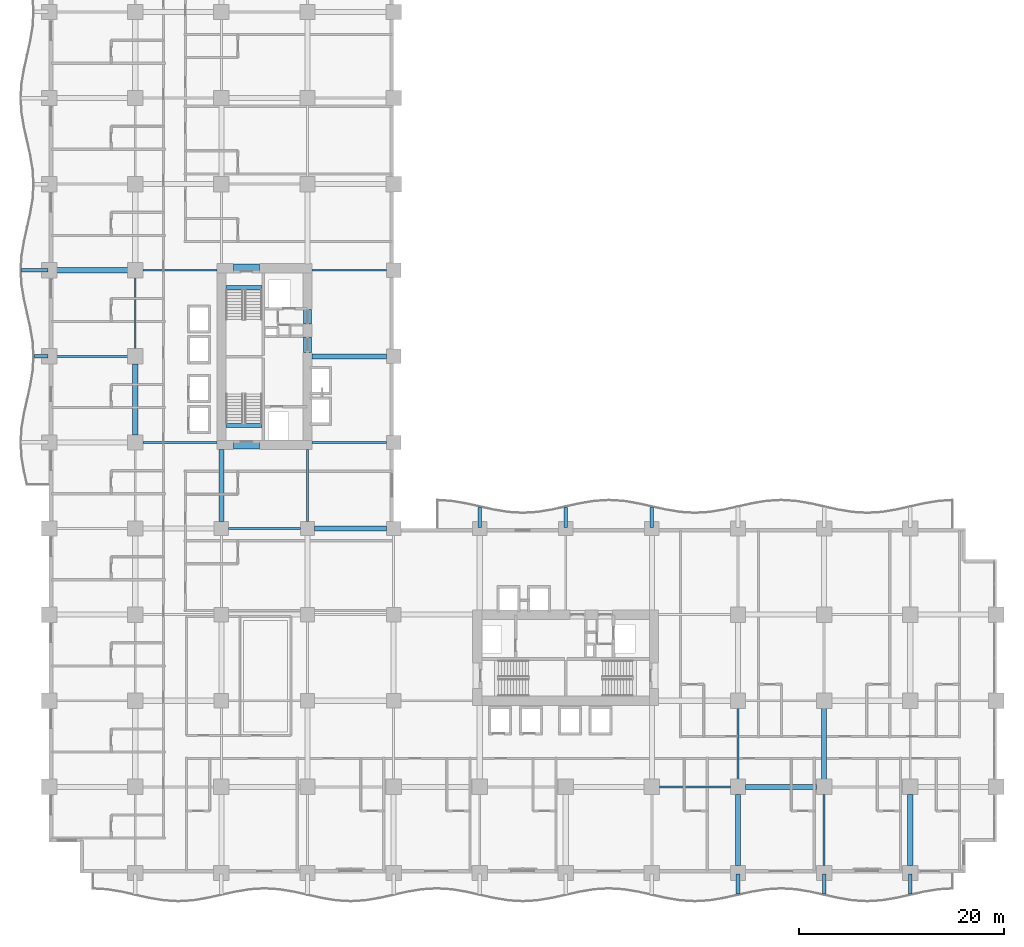
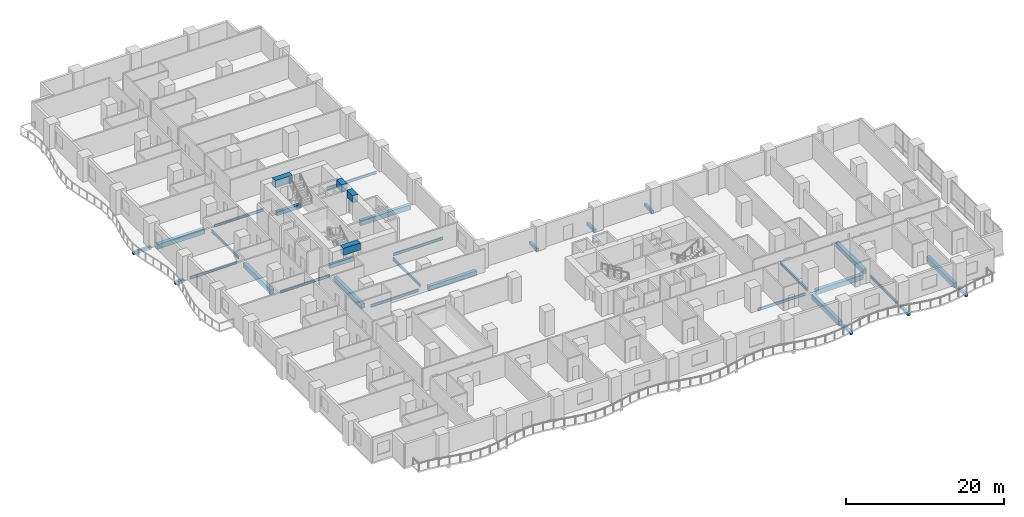
# One storey, part 2 of 26: 34 beams.
"""IFC4 building model written with IfcOpenShell, lengths in metres."""

import ifcopenshell
import ifcopenshell.guid

model = None  # the IFC model being written
_history = None  # IfcOwnerHistory: only IFC2X3 demands one
_inside = {}  # id of a spatial element -> (the spatial element, [elements in it])
_under = {}  # id of a project, library or spatial element -> (it, [spatial elements below it])
_declared = {}  # id of a project -> (the project, [libraries it declares])
_typed = {}  # id of a type object -> (the type object, [elements of that type])
_made_of = {}  # id of a material, layer set ... -> (it, [elements and type objects made of it])


def new_model(schema):
    """Start an empty IFC model of exactly this schema.

    Asked for "IFC4X3", IfcOpenShell would pick the latest addendum, in which some entities
    have other attributes; the version numbers below select the first issue.
    IFC2X3 requires an IfcOwnerHistory on every rooted entity: one is made here for all.
    """
    global model, _history
    if schema == "IFC4X3":
        model = ifcopenshell.file(schema_version=(4, 3, 0, 0))
    else:
        model = ifcopenshell.file(schema=schema)
    _inside.clear()
    _under.clear()
    _declared.clear()
    _typed.clear()
    _made_of.clear()
    _history = None
    if model.schema == "IFC2X3":
        org = make("IfcOrganization", Name="unknown")
        user = make(
            "IfcPersonAndOrganization",
            ThePerson=make("IfcPerson", FamilyName="unknown"),
            TheOrganization=org,
        )
        app = make(
            "IfcApplication",
            ApplicationDeveloper=org,
            Version="unknown",
            ApplicationFullName="unknown",
            ApplicationIdentifier="unknown",
        )
        _history = make(
            "IfcOwnerHistory",
            OwningUser=user,
            OwningApplication=app,
            ChangeAction="ADDED",
            CreationDate=0,
        )
    return model


def make(cls, **values):
    """One entity of the class cls with the attributes given. An attribute that is None is left unset."""
    return model.create_entity(
        cls, **{name: value for name, value in values.items() if value is not None}
    )


def rooted(cls, **values):
    """An entity with a GlobalId (a new one), such as an element, a storey or a relation."""
    return make(cls, GlobalId=ifcopenshell.guid.new(), OwnerHistory=_history, **values)


def si_unit(unit_type, name, prefix=None):
    """IfcSIUnit, for example si_unit("LENGTHUNIT", "METRE", prefix="MILLI")."""
    return make("IfcSIUnit", UnitType=unit_type, Prefix=prefix, Name=name)


def assignment(units):
    """IfcUnitAssignment: the units of a project."""
    return None if units is None else make("IfcUnitAssignment", Units=units)


def point(xyz):
    """IfcCartesianPoint."""
    return None if xyz is None else make("IfcCartesianPoint", Coordinates=xyz)


def direction(xyz):
    """IfcDirection."""
    return None if xyz is None else make("IfcDirection", DirectionRatios=xyz)


def frame(location, z_axis=None, x_axis=None):
    """IfcAxis2Placement3D, a coordinate frame: its origin and axes. An axis left out is left unset."""
    return make(
        "IfcAxis2Placement3D",
        Location=point(location),
        Axis=direction(z_axis),
        RefDirection=direction(x_axis),
    )


def frame_2d(location, x_axis=None):
    """IfcAxis2Placement2D, a coordinate frame in the plane: its origin and x axis."""
    return make(
        "IfcAxis2Placement2D", Location=point(location), RefDirection=direction(x_axis)
    )


def origin():
    """The frame at (0, 0, 0) with its axes left unset."""
    return frame((0.0, 0.0, 0.0))


def origin_2d():
    """The frame at (0, 0) in the plane with its x axis left unset."""
    return frame_2d((0.0, 0.0))


def place(relative_to, where):
    """IfcLocalPlacement: puts the frame where relative to a parent placement (None: the world)."""
    return make(
        "IfcLocalPlacement", PlacementRelTo=relative_to, RelativePlacement=where
    )


def context(
    kind, dimensions, precision=None, world=None, true_north=None, identifier=None
):
    """IfcGeometricRepresentationContext, for example the 3D "Model" context."""
    return make(
        "IfcGeometricRepresentationContext",
        ContextIdentifier=identifier,
        ContextType=kind,
        CoordinateSpaceDimension=dimensions,
        Precision=precision,
        WorldCoordinateSystem=world,
        TrueNorth=true_north,
    )


def subcontext(parent, identifier, kind, view, scale=None):
    """IfcGeometricRepresentationSubContext, for example "Body" below "Model"."""
    return make(
        "IfcGeometricRepresentationSubContext",
        ContextIdentifier=identifier,
        ContextType=kind,
        ParentContext=parent,
        TargetScale=scale,
        TargetView=view,
    )


def project(units=None, contexts=None):
    """IfcProject with its units and contexts."""
    return rooted(
        "IfcProject",
        Name="project",
        RepresentationContexts=contexts,
        UnitsInContext=assignment(units),
    )


def spatial(cls, under=None, at=None, **own):
    """A site, building, storey or space (cls), placed at a placement, below another one or the project."""
    s = rooted(cls, ObjectPlacement=at, **own)
    if under is not None:
        _under.setdefault(under.id(), (under, []))[1].append(s)
    return s


def profile(cls, at=None, kind="AREA", **sizes):
    """A parametric profile (cls). Its sizes go by their IFC names, for example OverallWidth=200.0."""
    return make(cls, ProfileType=kind, Position=at, **sizes)


def rectangle(**sizes):
    """IfcRectangleProfileDef."""
    return profile("IfcRectangleProfileDef", **sizes)


def i_section(**sizes):
    """IfcIShapeProfileDef."""
    return profile("IfcIShapeProfileDef", **sizes)


def extrude(swept, where, along, depth):
    """IfcExtrudedAreaSolid: the profile swept, set in the frame where, extruded along a direction by depth."""
    return make(
        "IfcExtrudedAreaSolid",
        SweptArea=swept,
        Position=where,
        ExtrudedDirection=direction(along),
        Depth=depth,
    )


def shape(context_of_items, identifier, shape_type, items):
    """IfcShapeRepresentation: the items that make up one representation, for example the "Body"."""
    return make(
        "IfcShapeRepresentation",
        ContextOfItems=context_of_items,
        RepresentationIdentifier=identifier,
        RepresentationType=shape_type,
        Items=items,
    )


def material(Name=None, Category=None):
    """IfcMaterial."""
    return make("IfcMaterial", Name=Name, Category=Category)


def material_profile(
    of_material, cross_section, Name=None, Category=None, Priority=None
):
    """IfcMaterialProfile: a cross section and its material."""
    return make(
        "IfcMaterialProfile",
        Name=Name,
        Material=of_material,
        Profile=cross_section,
        Priority=Priority,
        Category=Category,
    )


def profile_set(profiles, Name=None, composite=None):
    """IfcMaterialProfileSet."""
    return make(
        "IfcMaterialProfileSet",
        Name=Name,
        MaterialProfiles=profiles,
        CompositeProfile=composite,
    )


def made_of(thing, what):
    """Note that an element or type object is made of a material, layer set ...; save() writes the relation."""
    if what is not None:
        _made_of.setdefault(what.id(), (what, []))[1].append(thing)
    return thing


def type_object(cls, material=None, **own):
    """A type object (cls), such as IfcWallType, which elements share."""
    return made_of(rooted(cls, **own), material)


def element(
    cls,
    number,
    at=None,
    inside=None,
    cuts=None,
    type_object=None,
    material=None,
    context=None,
    identifier="Body",
    shape_type=None,
    held_by="IfcProductDefinitionShape",
    body=None,
    shapes=None,
    **own,
):
    """One element of the class cls, such as IfcWall. Its Tag is "e" and its number.

    at: its placement. inside: the storey or other place that contains it. cuts: it is an
    opening in that element (IfcRelVoidsElement). A single representation is given by context,
    identifier, shape_type and body (its items); several are given by shapes. held_by: the class
    of the entity that holds the representations. save() writes the other relations.
    """
    e = rooted(cls, Tag="e%d" % number, ObjectPlacement=at, **own)
    if body is not None:
        shapes = [shape(context, identifier, shape_type, body)]
    if shapes is not None:
        e.Representation = make(held_by, Representations=shapes)
    if inside is not None:
        _inside.setdefault(inside.id(), (inside, []))[1].append(e)
    if cuts is not None:
        rooted(
            "IfcRelVoidsElement", RelatingBuildingElement=cuts, RelatedOpeningElement=e
        )
    if type_object is not None:
        _typed.setdefault(type_object.id(), (type_object, []))[1].append(e)
    return made_of(e, material)


def aggregate(whole, parts):
    """IfcRelAggregates: a whole, such as a stair, and the parts it consists of."""
    return rooted("IfcRelAggregates", RelatingObject=whole, RelatedObjects=parts)


def save(model, path):
    """Write the relations noted so far, then the file.

    IfcRelAggregates (storeys below a building ...), IfcRelContainedInSpatialStructure (elements
    in a storey), IfcRelDefinesByType, IfcRelAssociatesMaterial and IfcRelDeclares: one each for
    every whole, place, type object, material and project.
    """
    for whole, parts in _under.values():
        aggregate(whole, parts)
    for where, things in _inside.values():
        rooted(
            "IfcRelContainedInSpatialStructure",
            RelatedElements=things,
            RelatingStructure=where,
        )
    for kind, things in _typed.values():
        rooted("IfcRelDefinesByType", RelatedObjects=things, RelatingType=kind)
    for what, things in _made_of.values():
        rooted("IfcRelAssociatesMaterial", RelatedObjects=things, RelatingMaterial=what)
    for by, libraries in _declared.values():
        rooted("IfcRelDeclares", RelatingContext=by, RelatedDefinitions=libraries)
    model.write(path)


model = new_model("IFC4")

# Units and contexts
model_context = context("Model", 3, precision=1e-05, world=origin(), true_north=direction((0.0, 1.0)))
body_context = subcontext(model_context, "Body", "Model", "MODEL_VIEW")
ifc_project = project(units=[si_unit("LENGTHUNIT", "METRE"), si_unit("AREAUNIT", "SQUARE_METRE"), si_unit("VOLUMEUNIT", "CUBIC_METRE"), si_unit("PLANEANGLEUNIT", "RADIAN"), si_unit("MASSUNIT", "GRAM", prefix="KILO")], contexts=[model_context])

# Site, building, storey
site_placement = place(None, origin())
site = spatial("IfcSite", under=ifc_project, at=site_placement, CompositionType="ELEMENT")
building_placement = place(site_placement, origin())
building = spatial("IfcBuilding", under=site, at=building_placement, Name="Koriwani Terraces Tower", CompositionType="ELEMENT")
storey_placement = place(building_placement, frame((0.0, 0.0, 39.60009765625)))
storey = spatial("IfcBuildingStorey", under=building, at=storey_placement, Name="L08", CompositionType="ELEMENT", Elevation=39.60009765625)

# Beams
ifc_material_1 = material(Name="Concrete C40/50", Category="concrete")
ifc_material_profile_1 = material_profile(ifc_material_1, rectangle(XDim=0.35009765625, YDim=0.449951171875, at=origin_2d()), Name="Concrete C40/50", Category="LoadBearing")
ifc_profile_set_1 = profile_set([ifc_material_profile_1], Name="Concrete C40/50")
beam_type_1 = type_object("IfcBeamType", Name="BEAM_RC_BALCONY_RIB_350X450", PredefinedType="JOIST", material=ifc_profile_set_1)
for number, where, z_axis, x_axis, name in (
    (1, (67.199951171875, -2.074951171875, -0.47509765625), (0.0, 1.0, 0.0), (-1.0, 0.0, 0.0), "L08 Balcony Bracket Rib S-8"),
    (2, (75.60009765625, -2.074951171875, -0.47509765625), (0.0, 1.0, 0.0), (-1.0, 0.0, 0.0), "L08 Balcony Bracket Rib S-9"),
    (3, (84.0, -2.074951171875, -0.47509765625), (0.0, 1.0, 0.0), (-1.0, 0.0, 0.0), "L08 Balcony Bracket Rib S-10"),
):
    element("IfcBeam", number, at=place(storey_placement, frame(where, z_axis=z_axis, x_axis=x_axis)), inside=storey, type_object=beam_type_1, Name=name, PredefinedType="JOIST", context=body_context, shape_type="SweptSolid", body=[
        extrude(rectangle(XDim=0.35009765625, YDim=0.449951171875, at=origin_2d()), origin(), (0.0, 0.0, 1.0), 1.974853515625),
    ])
beam_1_placement = place(storey_placement, frame((-1.449951171875, 50.39990234375, -0.47509765625), z_axis=(1.0, 0.0, 0.0), x_axis=(0.0, 1.0, 0.0)))
element("IfcBeam", 4, at=beam_1_placement, inside=storey, type_object=beam_type_1, Name="L08 Balcony Bracket Rib W-2", PredefinedType="JOIST", context=body_context, shape_type="SweptSolid", body=[
    extrude(rectangle(XDim=0.35009765625, YDim=0.449951171875, at=origin_2d()), origin(), (0.0, 0.0, 1.0), 1.349853515625),
])
beam_2_placement = place(storey_placement, frame((-2.699951171875, 58.800048828125, -0.47509765625), z_axis=(1.0, 0.0, 0.0), x_axis=(0.0, 1.0, 0.0)))
element("IfcBeam", 5, at=beam_2_placement, inside=storey, type_object=beam_type_1, Name="L08 Balcony Bracket Rib W-3", PredefinedType="JOIST", context=body_context, shape_type="SweptSolid", body=[
    extrude(rectangle(XDim=0.35009765625, YDim=0.449951171875, at=origin_2d()), origin(), (0.0, 0.0, 1.0), 2.599853515625),
])
for number, where, z_axis, x_axis, name in (
    (6, (42.0, 33.699951171875, -0.47509765625), (0.0, 1.0, 0.0), (-1.0, 0.0, 0.0), "L08 Balcony Bracket Rib NE-1"),
    (7, (50.39990234375, 33.699951171875, -0.47509765625), (0.0, 1.0, 0.0), (-1.0, 0.0, 0.0), "L08 Balcony Bracket Rib NE-2"),
    (8, (58.800048828125, 33.699951171875, -0.47509765625), (0.0, 1.0, 0.0), (-1.0, 0.0, 0.0), "L08 Balcony Bracket Rib NE-3"),
):
    element("IfcBeam", number, at=place(storey_placement, frame(where, z_axis=z_axis, x_axis=x_axis)), inside=storey, type_object=beam_type_1, Name=name, PredefinedType="JOIST", context=body_context, shape_type="SweptSolid", body=[
        extrude(rectangle(XDim=0.35009765625, YDim=0.449951171875, at=origin_2d()), origin(), (0.0, 0.0, 1.0), 1.97509765625),
    ])
ifc_material_2 = material(Name="Concrete C60/75", Category="concrete")
ifc_material_profile_2 = material_profile(ifc_material_2, rectangle(XDim=0.800048828125, YDim=1.10009765625, at=origin_2d()), Name="Concrete C60/75", Category="LoadBearing")
ifc_profile_set_2 = profile_set([ifc_material_profile_2], Name="Concrete C60/75")
beam_type_2 = type_object("IfcBeamType", Name="BEAM_RC_COUPLING_800X1100", PredefinedType="LINTEL", material=ifc_profile_set_2)
beam_3_placement = place(storey_placement, frame((25.199951171875, 50.800048828125, 3.0), z_axis=(0.0, 1.0, 0.0), x_axis=(-1.0, 0.0, 0.0)))
element("IfcBeam", 9, at=beam_3_placement, inside=storey, type_object=beam_type_2, Name="L08 Core Coupling Lintel Beam WE1", PredefinedType="LINTEL", context=body_context, shape_type="SweptSolid", body=[
    extrude(rectangle(XDim=0.800048828125, YDim=1.10009765625, at=origin_2d()), origin(), (0.0, 0.0, 1.0), 1.47998046875),
])
beam_4_placement = place(storey_placement, frame((25.199951171875, 53.550048828125, 3.0), z_axis=(0.0, 1.0, 0.0), x_axis=(-1.0, 0.0, 0.0)))
element("IfcBeam", 10, at=beam_4_placement, inside=storey, type_object=beam_type_2, Name="L08 Core Coupling Lintel Beam WE2", PredefinedType="LINTEL", context=body_context, shape_type="SweptSolid", body=[
    extrude(rectangle(XDim=0.800048828125, YDim=1.10009765625, at=origin_2d()), origin(), (0.0, 0.0, 1.0), 1.39990234375),
])
for number, where, z_axis, x_axis, name in (
    (11, (18.0, 41.75, 3.0), (1.0, 0.0, 0.0), (0.0, 1.0, 0.0), "L08 Core Coupling Lintel Beam WS"),
    (12, (18.0, 59.0, 3.0), (1.0, 0.0, 0.0), (0.0, 1.0, 0.0), "L08 Core Coupling Lintel Beam WN"),
):
    element("IfcBeam", number, at=place(storey_placement, frame(where, z_axis=z_axis, x_axis=x_axis)), inside=storey, type_object=beam_type_2, Name=name, PredefinedType="LINTEL", context=body_context, shape_type="SweptSolid", body=[
        extrude(rectangle(XDim=0.800048828125, YDim=1.10009765625, at=origin_2d()), origin(), (0.0, 0.0, 1.0), 2.5),
    ])
ifc_material_profile_3 = material_profile(ifc_material_1, rectangle(XDim=0.39990234375, YDim=0.60009765625, at=origin_2d()), Name="Concrete C40/50", Category="LoadBearing")
ifc_profile_set_3 = profile_set([ifc_material_profile_3], Name="Concrete C40/50")
beam_type_3 = type_object("IfcBeamType", Name="BEAM_RC_GRID_400X600", PredefinedType="BEAM", material=ifc_profile_set_3)
for number, where, z_axis, x_axis, name in (
    (13, (17.25, 43.655029296875, -0.300048828125), (1.0, 0.0, 0.0), (0.0, 1.0, 0.0), "L08 Stairwell Header Trimmer Beam ST-W1"),
    (14, (17.25, 57.094970703125, -0.300048828125), (1.0, 0.0, 0.0), (0.0, 1.0, 0.0), "L08 Stairwell Header Trimmer Beam ST-W2"),
):
    element("IfcBeam", number, at=place(storey_placement, frame(where, z_axis=z_axis, x_axis=x_axis)), inside=storey, type_object=beam_type_3, Name=name, PredefinedType="BEAM", context=body_context, shape_type="SweptSolid", body=[
        extrude(rectangle(XDim=0.39990234375, YDim=0.60009765625, at=origin_2d()), origin(), (0.0, 0.0, 1.0), 3.5),
    ])
ifc_material_3 = material(Name="Concrete C50/60", Category="concrete")
ifc_material_profile_4 = material_profile(ifc_material_3, rectangle(XDim=0.5, YDim=0.75, at=origin_2d()), Name="Concrete C50/60", Category="LoadBearing")
ifc_profile_set_4 = profile_set([ifc_material_profile_4], Name="Concrete C50/60")
beam_type_4 = type_object("IfcBeamType", Name="BEAM_RC_GRID_500X750", PredefinedType="BEAM", material=ifc_profile_set_4)
beam_5_placement = place(storey_placement, frame((67.929931640625, 8.39990234375, -0.625), z_axis=(1.0, 0.0, 0.0), x_axis=(0.0, 1.0, 0.0)))
element("IfcBeam", 15, at=beam_5_placement, inside=storey, type_object=beam_type_4, Name="L08 Grid Beam B (67.2-75.6m)", PredefinedType="BEAM", context=body_context, shape_type="SweptSolid", body=[
    extrude(rectangle(XDim=0.5, YDim=0.75, at=origin_2d()), origin(), (0.0, 0.0, 1.0), 6.940185546875),
])
beam_6_placement = place(storey_placement, frame((25.8798828125, 33.60009765625, -0.625), z_axis=(1.0, 0.0, 0.0), x_axis=(0.0, 1.0, 0.0)))
element("IfcBeam", 16, at=beam_6_placement, inside=storey, type_object=beam_type_4, Name="L08 Grid Beam E (25.2-33.6m)", PredefinedType="BEAM", context=body_context, shape_type="SweptSolid", body=[
    extrude(rectangle(XDim=0.5, YDim=0.75, at=origin_2d()), origin(), (0.0, 0.0, 1.0), 7.0400390625),
])
beam_7_placement = place(storey_placement, frame((25.6298828125, 50.39990234375, -0.625), z_axis=(1.0, 0.0, 0.0), x_axis=(0.0, 1.0, 0.0)))
element("IfcBeam", 17, at=beam_7_placement, inside=storey, type_object=beam_type_4, Name="L08 Grid Beam G (25.2-33.6m)", PredefinedType="BEAM", context=body_context, shape_type="SweptSolid", body=[
    extrude(rectangle(XDim=0.5, YDim=0.75, at=origin_2d()), origin(), (0.0, 0.0, 1.0), 7.2900390625),
])
for number, where, z_axis, x_axis, name in (
    (18, (0.72998046875, 58.800048828125, -0.625), (1.0, 0.0, 0.0), (0.0, 1.0, 0.0), "L08 Grid Beam H (0.0-8.4m)"),
    (19, (8.39990234375, 42.72998046875, -0.625), (0.0, 1.0, 0.0), (-1.0, 0.0, 0.0), "L08 Grid Beam 2 (42.0-50.4m)"),
):
    element("IfcBeam", number, at=place(storey_placement, frame(where, z_axis=z_axis, x_axis=x_axis)), inside=storey, type_object=beam_type_4, Name=name, PredefinedType="BEAM", context=body_context, shape_type="SweptSolid", body=[
        extrude(rectangle(XDim=0.5, YDim=0.75, at=origin_2d()), origin(), (0.0, 0.0, 1.0), 6.93994140625),
    ])
beam_8_placement = place(storey_placement, frame((16.800048828125, 34.280029296875, -0.625), z_axis=(0.0, 1.0, 0.0), x_axis=(-1.0, 0.0, 0.0)))
element("IfcBeam", 20, at=beam_8_placement, inside=storey, type_object=beam_type_4, Name="L08 Grid Beam 3 (33.6-42.0m)", PredefinedType="BEAM", context=body_context, shape_type="SweptSolid", body=[
    extrude(rectangle(XDim=0.5, YDim=0.75, at=origin_2d()), origin(), (0.0, 0.0, 1.0), 7.0400390625),
])
beam_9_placement = place(storey_placement, frame((67.199951171875, 0.72998046875, -0.625), z_axis=(0.0, 1.0, 0.0), x_axis=(-1.0, 0.0, 0.0)))
element("IfcBeam", 21, at=beam_9_placement, inside=storey, type_object=beam_type_4, Name="L08 Grid Beam 9 (0.0-8.4m)", PredefinedType="BEAM", context=body_context, shape_type="SweptSolid", body=[
    extrude(rectangle(XDim=0.5, YDim=0.75, at=origin_2d()), origin(), (0.0, 0.0, 1.0), 6.93994140625),
])
beam_10_placement = place(storey_placement, frame((75.60009765625, 9.1298828125, -0.625), z_axis=(0.0, 1.0, 0.0), x_axis=(-1.0, 0.0, 0.0)))
element("IfcBeam", 22, at=beam_10_placement, inside=storey, type_object=beam_type_4, Name="L08 Grid Beam 10 (8.4-16.8m)", PredefinedType="BEAM", context=body_context, shape_type="SweptSolid", body=[
    extrude(rectangle(XDim=0.5, YDim=0.75, at=origin_2d()), origin(), (0.0, 0.0, 1.0), 6.940185546875),
])
beam_11_placement = place(storey_placement, frame((84.0, 0.72998046875, -0.625), z_axis=(0.0, 1.0, 0.0), x_axis=(-1.0, 0.0, 0.0)))
element("IfcBeam", 23, at=beam_11_placement, inside=storey, type_object=beam_type_4, Name="L08 Grid Beam 11 (0.0-8.4m)", PredefinedType="BEAM", context=body_context, shape_type="SweptSolid", body=[
    extrude(rectangle(XDim=0.5, YDim=0.75, at=origin_2d()), origin(), (0.0, 0.0, 1.0), 6.93994140625),
])
ifc_material_4 = material(Name="Steel ASTM A572 Grade 50", Category="steel")
ifc_material_profile_5 = material_profile(ifc_material_4, i_section(OverallWidth=0.180908203125, OverallDepth=0.4169921875, WebThickness=0.010986328125, FlangeThickness=0.018310546875, at=origin_2d()), Name="Steel ASTM A572 Grade 50", Category="LoadBearing")
ifc_profile_set_5 = profile_set([ifc_material_profile_5], Name="Steel ASTM A572 Grade 50")
beam_type_5 = type_object("IfcBeamType", Name="STEEL_BEAM_W410X85", PredefinedType="JOIST", material=ifc_profile_set_5)
beam_12_placement = place(storey_placement, frame((59.530029296875, 8.39990234375, -0.45849609375), z_axis=(1.0, 0.0, 0.0), x_axis=(0.0, 1.0, 0.0)))
element("IfcBeam", 24, at=beam_12_placement, inside=storey, type_object=beam_type_5, Name="L08 Grid Beam B (58.8-67.2m)", PredefinedType="JOIST", context=body_context, shape_type="SweptSolid", body=[
    extrude(i_section(OverallWidth=0.180908203125, OverallDepth=0.4169921875, WebThickness=0.010986328125, FlangeThickness=0.018310546875, at=origin_2d()), origin(), (0.0, 0.0, 1.0), 6.93994140625),
])
beam_13_placement = place(storey_placement, frame((17.47998046875, 33.60009765625, -0.45849609375), z_axis=(1.0, 0.0, 0.0), x_axis=(0.0, 1.0, 0.0)))
element("IfcBeam", 25, at=beam_13_placement, inside=storey, type_object=beam_type_5, Name="L08 Grid Beam E (16.8-25.2m)", PredefinedType="JOIST", context=body_context, shape_type="SweptSolid", body=[
    extrude(i_section(OverallWidth=0.180908203125, OverallDepth=0.4169921875, WebThickness=0.010986328125, FlangeThickness=0.018310546875, at=origin_2d()), origin(), (0.0, 0.0, 1.0), 7.0400390625),
])
beam_14_placement = place(storey_placement, frame((9.1298828125, 42.0, -0.45849609375), z_axis=(1.0, 0.0, 0.0), x_axis=(0.0, 1.0, 0.0)))
element("IfcBeam", 26, at=beam_14_placement, inside=storey, type_object=beam_type_5, Name="L08 Grid Beam F (8.4-16.8m)", PredefinedType="JOIST", context=body_context, shape_type="SweptSolid", body=[
    extrude(i_section(OverallWidth=0.180908203125, OverallDepth=0.4169921875, WebThickness=0.010986328125, FlangeThickness=0.018310546875, at=origin_2d()), origin(), (0.0, 0.0, 1.0), 7.240234375),
])
beam_15_placement = place(storey_placement, frame((25.6298828125, 42.0, -0.45849609375), z_axis=(1.0, 0.0, 0.0), x_axis=(0.0, 1.0, 0.0)))
element("IfcBeam", 27, at=beam_15_placement, inside=storey, type_object=beam_type_5, Name="L08 Grid Beam F (25.2-33.6m)", PredefinedType="JOIST", context=body_context, shape_type="SweptSolid", body=[
    extrude(i_section(OverallWidth=0.180908203125, OverallDepth=0.4169921875, WebThickness=0.010986328125, FlangeThickness=0.018310546875, at=origin_2d()), origin(), (0.0, 0.0, 1.0), 7.2900390625),
])
beam_16_placement = place(storey_placement, frame((0.72998046875, 50.39990234375, -0.45849609375), z_axis=(1.0, 0.0, 0.0), x_axis=(0.0, 1.0, 0.0)))
element("IfcBeam", 28, at=beam_16_placement, inside=storey, type_object=beam_type_5, Name="L08 Grid Beam G (0.0-8.4m)", PredefinedType="JOIST", context=body_context, shape_type="SweptSolid", body=[
    extrude(i_section(OverallWidth=0.180908203125, OverallDepth=0.4169921875, WebThickness=0.010986328125, FlangeThickness=0.018310546875, at=origin_2d()), origin(), (0.0, 0.0, 1.0), 6.93994140625),
])
beam_17_placement = place(storey_placement, frame((9.1298828125, 58.800048828125, -0.45849609375), z_axis=(1.0, 0.0, 0.0), x_axis=(0.0, 1.0, 0.0)))
element("IfcBeam", 29, at=beam_17_placement, inside=storey, type_object=beam_type_5, Name="L08 Grid Beam H (8.4-16.8m)", PredefinedType="JOIST", context=body_context, shape_type="SweptSolid", body=[
    extrude(i_section(OverallWidth=0.180908203125, OverallDepth=0.4169921875, WebThickness=0.010986328125, FlangeThickness=0.018310546875, at=origin_2d()), origin(), (0.0, 0.0, 1.0), 7.240234375),
])
beam_18_placement = place(storey_placement, frame((25.6298828125, 58.800048828125, -0.45849609375), z_axis=(1.0, 0.0, 0.0), x_axis=(0.0, 1.0, 0.0)))
element("IfcBeam", 30, at=beam_18_placement, inside=storey, type_object=beam_type_5, Name="L08 Grid Beam H (25.2-33.6m)", PredefinedType="JOIST", context=body_context, shape_type="SweptSolid", body=[
    extrude(i_section(OverallWidth=0.180908203125, OverallDepth=0.4169921875, WebThickness=0.010986328125, FlangeThickness=0.018310546875, at=origin_2d()), origin(), (0.0, 0.0, 1.0), 7.2900390625),
])
beam_19_placement = place(storey_placement, frame((8.39990234375, 51.1298828125, -0.45849609375), z_axis=(0.0, 1.0, 0.0), x_axis=(-1.0, 0.0, 0.0)))
element("IfcBeam", 31, at=beam_19_placement, inside=storey, type_object=beam_type_5, Name="L08 Grid Beam 2 (50.4-58.8m)", PredefinedType="JOIST", context=body_context, shape_type="SweptSolid", body=[
    extrude(i_section(OverallWidth=0.180908203125, OverallDepth=0.4169921875, WebThickness=0.010986328125, FlangeThickness=0.018310546875, at=origin_2d()), origin(), (0.0, 0.0, 1.0), 6.940185546875),
])
beam_20_placement = place(storey_placement, frame((25.199951171875, 34.280029296875, -0.45849609375), z_axis=(0.0, 1.0, 0.0), x_axis=(-1.0, 0.0, 0.0)))
element("IfcBeam", 32, at=beam_20_placement, inside=storey, type_object=beam_type_5, Name="L08 Grid Beam 4 (33.6-42.0m)", PredefinedType="JOIST", context=body_context, shape_type="SweptSolid", body=[
    extrude(i_section(OverallWidth=0.180908203125, OverallDepth=0.4169921875, WebThickness=0.010986328125, FlangeThickness=0.018310546875, at=origin_2d()), origin(), (0.0, 0.0, 1.0), 7.0400390625),
])
beam_21_placement = place(storey_placement, frame((67.199951171875, 9.1298828125, -0.45849609375), z_axis=(0.0, 1.0, 0.0), x_axis=(-1.0, 0.0, 0.0)))
element("IfcBeam", 33, at=beam_21_placement, inside=storey, type_object=beam_type_5, Name="L08 Grid Beam 9 (8.4-16.8m)", PredefinedType="JOIST", context=body_context, shape_type="SweptSolid", body=[
    extrude(i_section(OverallWidth=0.180908203125, OverallDepth=0.4169921875, WebThickness=0.010986328125, FlangeThickness=0.018310546875, at=origin_2d()), origin(), (0.0, 0.0, 1.0), 6.940185546875),
])
beam_22_placement = place(storey_placement, frame((75.60009765625, 0.72998046875, -0.45849609375), z_axis=(0.0, 1.0, 0.0), x_axis=(-1.0, 0.0, 0.0)))
element("IfcBeam", 34, at=beam_22_placement, inside=storey, type_object=beam_type_5, Name="L08 Grid Beam 10 (0.0-8.4m)", PredefinedType="JOIST", context=body_context, shape_type="SweptSolid", body=[
    extrude(i_section(OverallWidth=0.180908203125, OverallDepth=0.4169921875, WebThickness=0.010986328125, FlangeThickness=0.018310546875, at=origin_2d()), origin(), (0.0, 0.0, 1.0), 6.93994140625),
])

save(model, "model.ifc")
